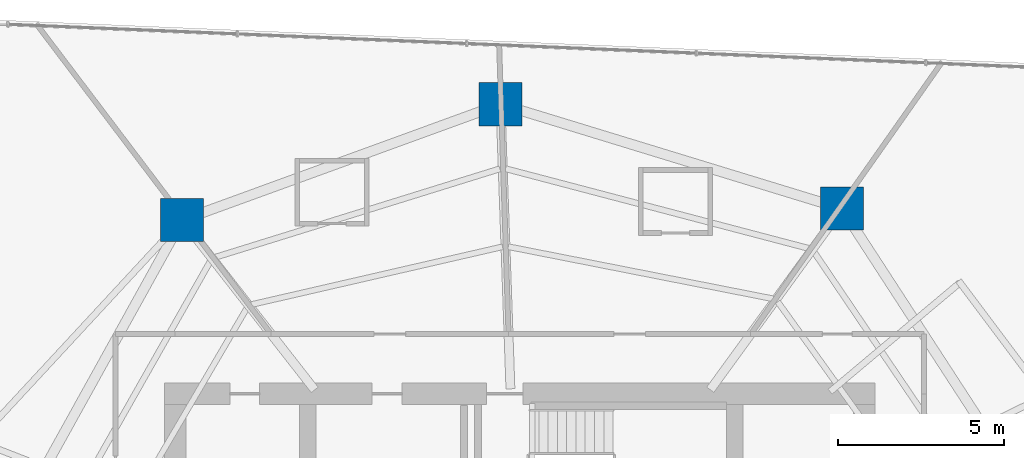
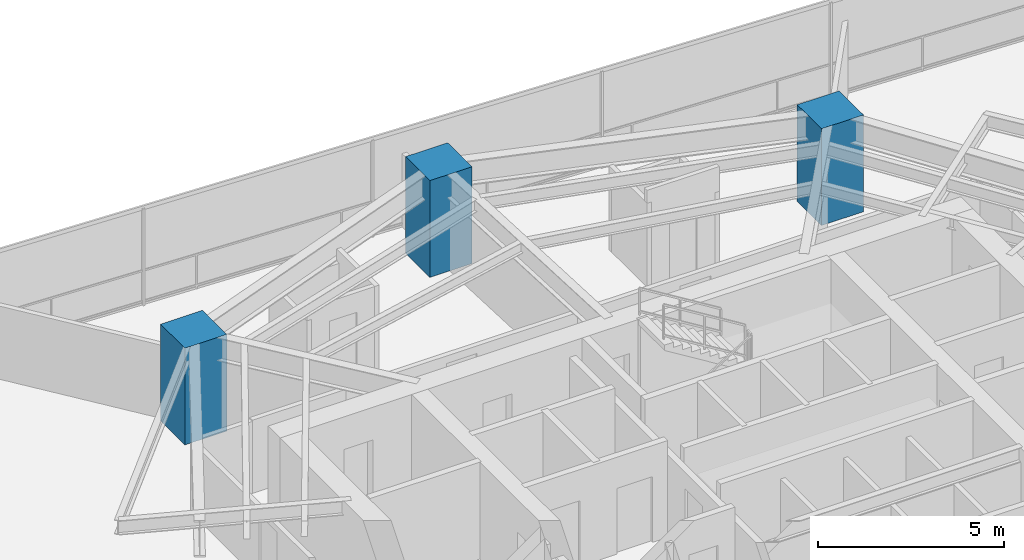
# One storey, part 2 of 30: 3 columns.
"""IFC4 building model written with IfcOpenShell, lengths in metres."""

from ifc_helpers import new_model, si_unit, direction, frame, origin, origin_2d, place, context, subcontext, project, spatial, rectangle, extrude, material, material_profile, profile_set, type_object, element, save


model = new_model("IFC4")

# Units and contexts
model_context = context("Model", 3, precision=1e-05, world=origin(), true_north=direction((0.0, 1.0)))
body_context = subcontext(model_context, "Body", "Model", "MODEL_VIEW")
ifc_project = project(units=[si_unit("LENGTHUNIT", "METRE"), si_unit("AREAUNIT", "SQUARE_METRE"), si_unit("VOLUMEUNIT", "CUBIC_METRE"), si_unit("PLANEANGLEUNIT", "RADIAN"), si_unit("MASSUNIT", "GRAM", prefix="KILO")], contexts=[model_context])

# Site, building, storey
site_placement = place(None, origin())
site = spatial("IfcSite", under=ifc_project, at=site_placement, CompositionType="ELEMENT")
building_placement = place(site_placement, origin())
building = spatial("IfcBuilding", under=site, at=building_placement, Name="Qarnah Convention Tower", CompositionType="ELEMENT")
storey_placement = place(building_placement, frame((0.0, 0.0, 58.050048828125)))
storey = spatial("IfcBuildingStorey", under=building, at=storey_placement, Name="L14", CompositionType="ELEMENT", Elevation=58.050048828125)

# Columns
ifc_material = material(Name="Concrete C60/75", Category="concrete")
ifc_material_profile = material_profile(ifc_material, rectangle(XDim=1.300048828125, YDim=1.300048828125, at=origin_2d()), Name="RC-COL-1300X1300")
ifc_profile_set = profile_set([ifc_material_profile], Name="Concrete C60/75")
column_type = type_object("IfcColumnType", Name="COL-Z1-1300", PredefinedType="COLUMN", material=ifc_profile_set)
for number, where, z_axis, x_axis, name in (
    (1, (46.927978515625, 39.7890625, 0.0), (0.0, 0.0, 1.0), (1.0, 0.0, 0.0), "L14 plumb column PC-Z1-02"),
    (2, (36.6220703125, 42.93994140625, 0.0), (0.0, 0.0, 1.0), (1.0, 0.0, 0.0), "L14 plumb column PC-Z1-03"),
    (3, (27.010986328125, 39.44189453125, 0.0), (0.0, 0.0, 1.0), (1.0, 0.0, 0.0), "L14 plumb column PC-Z1-04"),
):
    element("IfcColumn", number, at=place(storey_placement, frame(where, z_axis=z_axis, x_axis=x_axis)), inside=storey, type_object=column_type, Name=name, PredefinedType="COLUMN", context=body_context, shape_type="SweptSolid", body=[
        extrude(rectangle(XDim=1.300048828125, YDim=1.300048828125, at=origin_2d()), origin(), (0.0, 0.0, 1.0), 3.169921875),
    ])

save(model, "model.ifc")
